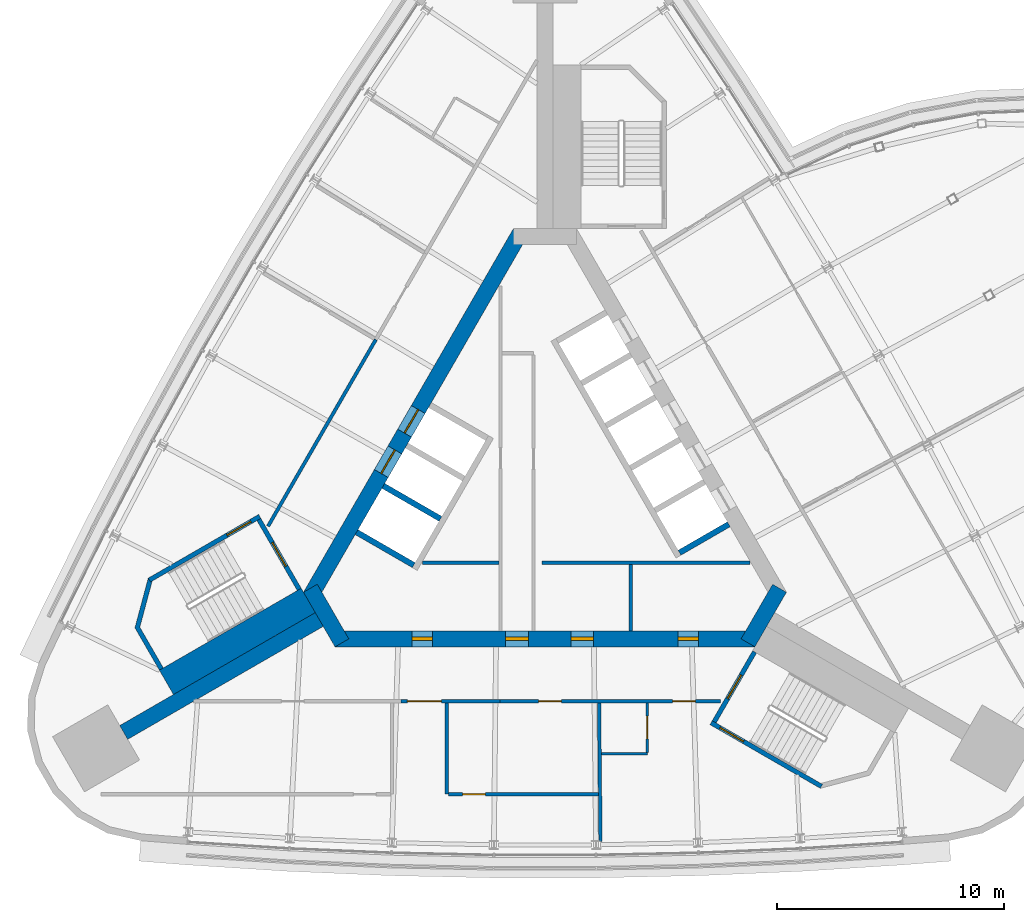
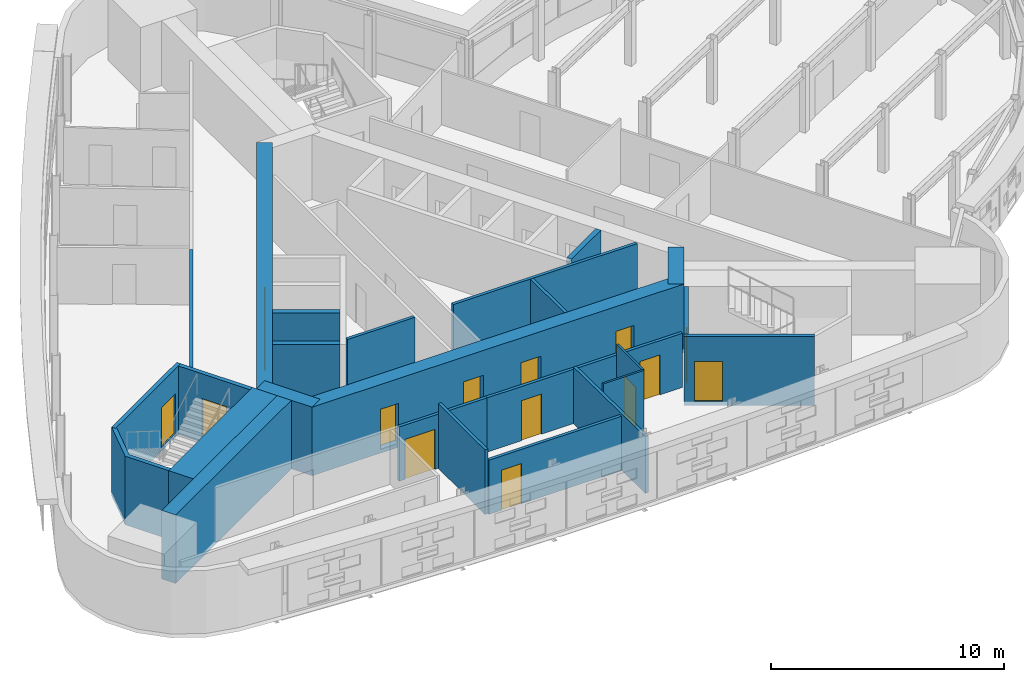
# One storey, part 10 of 15: 25 walls, 15 doors, 15 openings.
"""IFC4 building model written with IfcOpenShell, lengths in metres."""

from ifc_helpers import new_model, si_unit, direction, frame, frame_2d, origin, place, context, subcontext, project, spatial, polyline, rectangle, outline, extrude, material, layer, layer_set, type_object, element, fill, save


model = new_model("IFC4")

# Units and contexts
model_context = context("Model", 3, precision=1e-05, world=origin(), true_north=direction((0.0, 1.0)))
body_context = subcontext(model_context, "Body", "Model", "MODEL_VIEW")
ifc_project = project(units=[si_unit("LENGTHUNIT", "METRE"), si_unit("AREAUNIT", "SQUARE_METRE"), si_unit("VOLUMEUNIT", "CUBIC_METRE"), si_unit("PLANEANGLEUNIT", "RADIAN"), si_unit("MASSUNIT", "GRAM", prefix="KILO")], contexts=[model_context])

# Site, building, storey
site_placement = place(None, origin())
site = spatial("IfcSite", under=ifc_project, at=site_placement, CompositionType="ELEMENT")
building_placement = place(site_placement, origin())
building = spatial("IfcBuilding", under=site, at=building_placement, Name="Noor Cloister Tower", CompositionType="ELEMENT")
storey_placement = place(building_placement, frame((0.0, 0.0, 181.5)))
storey = spatial("IfcBuildingStorey", under=building, at=storey_placement, Name="L46", CompositionType="ELEMENT", Elevation=181.5)

# Walls
ifc_material_1 = material(Name="Concrete C70/85", Category="concrete")
ifc_layer_1 = layer(ifc_material_1, 0.699951171875)
ifc_layer_set_1 = layer_set([ifc_layer_1], Name="Buttress wall 700 C70/85")
wall_type_1 = type_object("IfcWallType", Name="Buttress wall 700 C70/85", PredefinedType="SHEAR", material=ifc_layer_set_1)
wall_1_placement = place(storey_placement, frame((-9.921630859375, -5.728271484375, -0.199951171875), z_axis=(0.0, 0.0, 1.0), x_axis=(-0.866029553954, -0.499992811627, 0.0)))
element("IfcWall", 1, at=wall_1_placement, inside=storey, type_object=wall_type_1, Name="Buttress wall SW L46", PredefinedType="SHEAR", context=body_context, shape_type="SweptSolid", body=[
    extrude(rectangle(XDim=9.927490234375, YDim=0.699951171875, at=frame_2d((4.9638671875, 0.0))), origin(), (0.0, 0.0, 1.0), 3.599853515625),
])
ifc_material_2 = material(Name="Concrete C30/37", Category="concrete")
ifc_layer_2 = layer(ifc_material_2, 0.14990234375)
ifc_layer_set_2 = layer_set([ifc_layer_2], Name="Core partition 150 C30/37")
wall_type_2 = type_object("IfcWallType", Name="Core partition 150 C30/37", PredefinedType="PARTITIONING", material=ifc_layer_set_2)
wall_2_placement = place(storey_placement, frame((-5.373291015625, -3.228271484375, 0.0), z_axis=(0.0, 0.0, 1.0), x_axis=(1.0, 0.0, 0.0)))
element("IfcWall", 2, at=wall_2_placement, inside=storey, type_object=wall_type_2, Name="Core room partition L46 1", PredefinedType="PARTITIONING", context=body_context, shape_type="SweptSolid", body=[
    extrude(rectangle(XDim=3.344482421875, YDim=0.14990234375, at=frame_2d((1.67236328125, 0.0))), origin(), (0.0, 0.0, 1.0), 3.39990234375),
])
wall_3_placement = place(storey_placement, frame((-0.128662109375, -3.228271484375, 0.0), z_axis=(0.0, 0.0, 1.0), x_axis=(1.0, 0.0, 0.0)))
element("IfcWall", 3, at=wall_3_placement, inside=storey, type_object=wall_type_2, Name="Core room partition L46 5", PredefinedType="PARTITIONING", context=body_context, shape_type="SweptSolid", body=[
    extrude(rectangle(XDim=9.13916015625, YDim=0.14990234375, at=frame_2d((4.569580078125, 0.0))), origin(), (0.0, 0.0, 1.0), 3.39990234375),
])
wall_4_placement = place(storey_placement, frame((3.771240234375, -3.30322265625, 0.0), z_axis=(0.0, 0.0, 1.0), x_axis=(0.0, -1.0, 0.0)))
element("IfcWall", 4, at=wall_4_placement, inside=storey, type_object=wall_type_2, Name="Core room partition L46 6", PredefinedType="PARTITIONING", context=body_context, shape_type="SweptSolid", body=[
    extrude(rectangle(XDim=2.925048828125, YDim=0.14990234375, at=frame_2d((1.46240234375, 0.0))), origin(), (0.0, 0.0, 1.0), 3.39990234375),
])

# Wall, openings, doors
ifc_material_3 = material(Name="Concrete C70/85", Category="concrete")
ifc_layer_3 = layer(ifc_material_3, 0.699951171875)
ifc_layer_set_3 = layer_set([ifc_layer_3], Name="Core wall 700 C70/85")
wall_type_3 = type_object("IfcWallType", Name="Core wall 700 C70/85", PredefinedType="SHEAR", material=ifc_layer_set_3)
wall_5_placement = place(storey_placement, frame((-9.228759765625, -6.578125, -0.199951171875), z_axis=(0.0, 0.0, 1.0), x_axis=(1.0, 0.0, 0.0)))
wall_5 = element("IfcWall", 5, at=wall_5_placement, inside=storey, type_object=wall_type_3, Name="Core wall L46 1", PredefinedType="SHEAR", context=body_context, shape_type="SweptSolid", body=[
    extrude(rectangle(XDim=18.45751953125, YDim=0.699951171875, at=frame_2d((9.228759765625, 0.0))), origin(), (0.0, 0.0, 1.0), 3.599853515625),
])
opening_1_placement = place(wall_5_placement, frame((7.5, 0.0, 0.199951171875)))
opening_1 = element("IfcOpeningElement", 6, at=opening_1_placement, cuts=wall_5, Name="Opening L46-901", PredefinedType="OPENING", context=body_context, shape_type="SweptSolid", body=[
    extrude(rectangle(XDim=1.0, YDim=2.10009765625, at=frame_2d((0.5, 1.050048828125))), frame((0.0, 0.35986328125, 0.0), z_axis=(0.0, -1.0, 0.0), x_axis=(1.0, 0.0, 0.0)), (0.0, 0.0, 1.0), 0.719970703125),
])
opening_2_placement = place(wall_5_placement, frame((3.389404296875, 0.0, 0.199951171875)))
opening_2 = element("IfcOpeningElement", 7, at=opening_2_placement, cuts=wall_5, Name="Opening L46-902", PredefinedType="OPENING", context=body_context, shape_type="SweptSolid", body=[
    extrude(rectangle(XDim=0.89990234375, YDim=2.10009765625, at=frame_2d((0.449951171875, 1.050048828125))), frame((0.0, 0.35986328125, 0.0), z_axis=(0.0, -1.0, 0.0), x_axis=(1.0, 0.0, 0.0)), (0.0, 0.0, 1.0), 0.719970703125),
])
opening_3_placement = place(wall_5_placement, frame((10.362548828125, 0.0, 0.199951171875)))
opening_3 = element("IfcOpeningElement", 8, at=opening_3_placement, cuts=wall_5, Name="Opening L46-903", PredefinedType="OPENING", context=body_context, shape_type="SweptSolid", body=[
    extrude(rectangle(XDim=1.0, YDim=2.10009765625, at=frame_2d((0.5, 1.050048828125))), frame((0.0, 0.35986328125, 0.0), z_axis=(0.0, -1.0, 0.0), x_axis=(1.0, 0.0, 0.0)), (0.0, 0.0, 1.0), 0.719970703125),
])
opening_4_placement = place(wall_5_placement, frame((15.07666015625, 0.0, 0.199951171875)))
opening_4 = element("IfcOpeningElement", 9, at=opening_4_placement, cuts=wall_5, Name="Opening L46-904", PredefinedType="OPENING", context=body_context, shape_type="SweptSolid", body=[
    extrude(rectangle(XDim=0.89990234375, YDim=2.10009765625, at=frame_2d((0.449951171875, 1.050048828125))), frame((0.0, 0.35986328125, 0.0), z_axis=(0.0, -1.0, 0.0), x_axis=(1.0, 0.0, 0.0)), (0.0, 0.0, 1.0), 0.719970703125),
])
ifc_material_4 = material(Name="Steel", Category="steel")
door_type_1 = type_object("IfcDoorType", Name="Core door 1000 x 2100 FD120", OperationType="SINGLE_SWING_LEFT", PredefinedType="DOOR", material=ifc_material_4)
door_1_placement = place(opening_1_placement, origin())
door_1 = element("IfcDoor", 10, at=door_1_placement, inside=storey, type_object=door_type_1, Name="Core door 1 L46", OperationType="SINGLE_SWING_LEFT", OverallHeight=2.10009765625, OverallWidth=1.0, PredefinedType="DOOR", context=body_context, shape_type="SweptSolid", body=[
    extrude(rectangle(XDim=1.0, YDim=2.10009765625, at=frame_2d((0.5, 1.050048828125))), frame((0.0, 0.074951171875, 0.0), z_axis=(0.0, -1.0, 0.0), x_axis=(1.0, 0.0, 0.0)), (0.0, 0.0, 1.0), 0.14990234375),
])
fill(opening_1, door_1)
ifc_material_5 = material(Name="Steel", Category="steel")
door_type_2 = type_object("IfcDoorType", Name="Core door 1000 x 2100 FD60", OperationType="SINGLE_SWING_LEFT", PredefinedType="DOOR", material=ifc_material_5)
door_2_placement = place(opening_3_placement, origin())
door_2 = element("IfcDoor", 11, at=door_2_placement, inside=storey, type_object=door_type_2, Name="Core door 3 L46", OperationType="SINGLE_SWING_LEFT", OverallHeight=2.10009765625, OverallWidth=1.0, PredefinedType="DOOR", context=body_context, shape_type="SweptSolid", body=[
    extrude(rectangle(XDim=1.0, YDim=2.10009765625, at=frame_2d((0.5, 1.050048828125))), frame((0.0, 0.074951171875, 0.0), z_axis=(0.0, -1.0, 0.0), x_axis=(1.0, 0.0, 0.0)), (0.0, 0.0, 1.0), 0.14990234375),
])
fill(opening_3, door_2)
ifc_material_6 = material(Name="Steel", Category="steel")
door_type_3 = type_object("IfcDoorType", Name="Core door 900 x 2100 FD120", OperationType="SINGLE_SWING_LEFT", PredefinedType="DOOR", material=ifc_material_6)
door_3_placement = place(opening_2_placement, origin())
door_3 = element("IfcDoor", 12, at=door_3_placement, inside=storey, type_object=door_type_3, Name="Core door 2 L46", OperationType="SINGLE_SWING_RIGHT", OverallHeight=2.10009765625, OverallWidth=0.89990234375, PredefinedType="DOOR", context=body_context, shape_type="SweptSolid", body=[
    extrude(rectangle(XDim=0.89990234375, YDim=2.10009765625, at=frame_2d((0.449951171875, 1.050048828125))), frame((0.0, 0.074951171875, 0.0), z_axis=(0.0, -1.0, 0.0), x_axis=(1.0, 0.0, 0.0)), (0.0, 0.0, 1.0), 0.14990234375),
])
fill(opening_2, door_3)
ifc_material_7 = material(Name="Steel", Category="steel")
door_type_4 = type_object("IfcDoorType", Name="Core door 900 x 2100 FD60", OperationType="SINGLE_SWING_LEFT", PredefinedType="DOOR", material=ifc_material_7)
door_4_placement = place(opening_4_placement, origin())
door_4 = element("IfcDoor", 13, at=door_4_placement, inside=storey, type_object=door_type_4, Name="Core door 4 L46", OperationType="SINGLE_SWING_RIGHT", OverallHeight=2.10009765625, OverallWidth=0.89990234375, PredefinedType="DOOR", context=body_context, shape_type="SweptSolid", body=[
    extrude(rectangle(XDim=0.89990234375, YDim=2.10009765625, at=frame_2d((0.449951171875, 1.050048828125))), frame((0.0, 0.074951171875, 0.0), z_axis=(0.0, -1.0, 0.0), x_axis=(1.0, 0.0, 0.0)), (0.0, 0.0, 1.0), 0.14990234375),
])
fill(opening_4, door_4)

# Wall
wall_6_placement = place(storey_placement, frame((8.925537109375, -6.753173828125, -0.199951171875), z_axis=(0.0, 0.0, 1.0), x_axis=(0.500042739161, 0.866000726912, 0.0)))
element("IfcWall", 14, at=wall_6_placement, inside=storey, type_object=wall_type_3, Name="Core wall L46 2", PredefinedType="SHEAR", context=body_context, shape_type="SweptSolid", body=[
    extrude(rectangle(XDim=2.771240234375, YDim=0.699951171875, at=frame_2d((1.3857421875, 0.0))), origin(), (0.0, 0.0, 1.0), 3.599853515625),
])

# Wall, openings, doors
wall_7_placement = place(storey_placement, frame((-1.08251953125, 11.281494140625, -0.199951171875), z_axis=(0.0, 0.0, 1.0), x_axis=(-0.500001446645, -0.866024568562, 0.0)))
wall_7 = element("IfcWall", 15, at=wall_7_placement, inside=storey, type_object=wall_type_3, Name="Core wall L46 5", PredefinedType="SHEAR", context=body_context, shape_type="SweptSolid", body=[
    extrude(rectangle(XDim=18.45751953125, YDim=0.699951171875, at=frame_2d((9.228759765625, 0.0))), origin(), (0.0, 0.0, 1.0), 3.599853515625),
])
opening_5_placement = place(wall_7_placement, frame((8.978759765625, 0.0, 0.199951171875)))
opening_5 = element("IfcOpeningElement", 16, at=opening_5_placement, cuts=wall_7, Name="Opening L46-FF1", PredefinedType="OPENING", context=body_context, shape_type="SweptSolid", body=[
    extrude(rectangle(XDim=1.199951171875, YDim=2.10009765625, at=frame_2d((0.60009765625, 1.050048828125))), frame((0.0, 0.35986328125, 0.0), z_axis=(0.0, -1.0, 0.0), x_axis=(1.0, 0.0, 0.0)), (0.0, 0.0, 1.0), 0.719970703125),
])
opening_6_placement = place(wall_7_placement, frame((11.02880859375, 0.0, 0.199951171875)))
opening_6 = element("IfcOpeningElement", 17, at=opening_6_placement, cuts=wall_7, Name="Opening L46-FF2", PredefinedType="OPENING", context=body_context, shape_type="SweptSolid", body=[
    extrude(rectangle(XDim=1.199951171875, YDim=2.10009765625, at=frame_2d((0.60009765625, 1.050048828125))), frame((0.0, 0.35986328125, 0.0), z_axis=(0.0, -1.0, 0.0), x_axis=(1.0, 0.0, 0.0)), (0.0, 0.0, 1.0), 0.719970703125),
])
ifc_material_8 = material(Name="Stainless steel", Category="steel")
door_type_5 = type_object("IfcDoorType", Name="Lift landing door 1200 x 2100", OperationType="DOUBLE_DOOR_SLIDING", PredefinedType="DOOR", material=ifc_material_8)
door_5_placement = place(opening_5_placement, origin())
door_5 = element("IfcDoor", 18, at=door_5_placement, inside=storey, type_object=door_type_5, Name="Landing door FF1 L46", OperationType="DOUBLE_DOOR_SLIDING", OverallHeight=2.10009765625, OverallWidth=1.199951171875, PredefinedType="DOOR", context=body_context, shape_type="SweptSolid", body=[
    extrude(rectangle(XDim=1.199951171875, YDim=2.10009765625, at=frame_2d((0.60009765625, 1.050048828125))), frame((0.0, 0.02490234375, 0.0), z_axis=(0.0, -1.0, 0.0), x_axis=(1.0, 0.0, 0.0)), (0.0, 0.0, 1.0), 0.050048828125),
])
fill(opening_5, door_5)
door_6_placement = place(opening_6_placement, origin())
door_6 = element("IfcDoor", 19, at=door_6_placement, inside=storey, type_object=door_type_5, Name="Landing door FF2 L46", OperationType="DOUBLE_DOOR_SLIDING", OverallHeight=2.10009765625, OverallWidth=1.199951171875, PredefinedType="DOOR", context=body_context, shape_type="SweptSolid", body=[
    extrude(rectangle(XDim=1.199951171875, YDim=2.10009765625, at=frame_2d((0.60009765625, 1.050048828125))), frame((0.0, 0.02490234375, 0.0), z_axis=(0.0, -1.0, 0.0), x_axis=(1.0, 0.0, 0.0)), (0.0, 0.0, 1.0), 0.050048828125),
])
fill(opening_6, door_6)

# Walls
wall_8_placement = place(storey_placement, frame((-10.311279296875, -4.353271484375, -0.199951171875), z_axis=(0.0, 0.0, 1.0), x_axis=(0.500042739161, -0.866000726912, 0.0)))
element("IfcWall", 20, at=wall_8_placement, inside=storey, type_object=wall_type_3, Name="Core wall L46 6", PredefinedType="SHEAR", context=body_context, shape_type="SweptSolid", body=[
    extrude(rectangle(XDim=2.771240234375, YDim=0.699951171875, at=frame_2d((1.3857421875, 0.0))), origin(), (0.0, 0.0, 1.0), 3.599853515625),
])
ifc_material_9 = material(Name="Fire-rated gypsum board partition on steel studs, 150 mm", Category="steel")
ifc_layer_4 = layer(ifc_material_9, 0.14990234375)
ifc_layer_set_4 = layer_set([ifc_layer_4], Name="Fire lobby wall 150")
wall_type_4 = type_object("IfcWallType", Name="Fire lobby wall 150", PredefinedType="PARTITIONING", material=ifc_layer_set_4)
wall_9_placement = place(storey_placement, frame((-7.43408203125, 6.580078125, 0.0), z_axis=(0.0, 0.0, 1.0), x_axis=(-0.499998195608, -0.866026445548, 0.0)))
element("IfcWall", 21, at=wall_9_placement, inside=storey, type_object=wall_type_4, Name="Wall L46-W19", PredefinedType="PARTITIONING", context=body_context, shape_type="SweptSolid", body=[
    extrude(rectangle(XDim=9.47802734375, YDim=0.14990234375, at=frame_2d((4.739013671875, 0.0))), origin(), (0.0, 0.0, 1.0), 2.846923828125),
])

# Wall, openings, doors
ifc_material_10 = material(Name="Gypsum board partition on steel studs, 150 mm", Category="steel")
ifc_layer_5 = layer(ifc_material_10, 0.14990234375)
ifc_layer_set_5 = layer_set([ifc_layer_5], Name="Flat wall 150")
wall_type_5 = type_object("IfcWallType", Name="Flat wall 150", PredefinedType="PARTITIONING", material=ifc_layer_set_5)
wall_10_placement = place(storey_placement, frame((-1.977294921875, -9.328125, 0.0), z_axis=(0.0, 0.0, 1.0), x_axis=(1.0, 0.0, 0.0)))
wall_10 = element("IfcWall", 22, at=wall_10_placement, inside=storey, type_object=wall_type_5, Name="Wall L46-W09", PredefinedType="PARTITIONING", context=body_context, shape_type="SweptSolid", body=[
    extrude(rectangle(XDim=9.704833984375, YDim=0.14990234375, at=frame_2d((4.8525390625, 0.0))), origin(), (0.0, 0.0, 1.0), 2.846923828125),
])
opening_7_placement = place(wall_10_placement, frame((1.702392578125, 0.0, 0.0)))
opening_7 = element("IfcOpeningElement", 23, at=opening_7_placement, cuts=wall_10, Name="Opening L46-012", PredefinedType="OPENING", context=body_context, shape_type="SweptSolid", body=[
    extrude(rectangle(XDim=1.0, YDim=2.10009765625, at=frame_2d((0.5, 1.050048828125))), frame((0.0, 0.0849609375, 0.0), z_axis=(0.0, -1.0, 0.0), x_axis=(1.0, 0.0, 0.0)), (0.0, 0.0, 1.0), 0.169921875),
])
opening_8_placement = place(wall_10_placement, frame((7.592041015625, 0.0, 0.0)))
opening_8 = element("IfcOpeningElement", 24, at=opening_8_placement, cuts=wall_10, Name="Opening L46-014", PredefinedType="OPENING", context=body_context, shape_type="SweptSolid", body=[
    extrude(rectangle(XDim=1.0, YDim=2.10009765625, at=frame_2d((0.5, 1.050048828125))), frame((0.0, 0.0849609375, 0.0), z_axis=(0.0, -1.0, 0.0), x_axis=(1.0, 0.0, 0.0)), (0.0, 0.0, 1.0), 0.169921875),
])
ifc_material_11 = material(Name="Timber door leaf with steel frame", Category="steel")
door_type_6 = type_object("IfcDoorType", Name="Flat entrance door 1000", OperationType="NOTDEFINED", PredefinedType="DOOR", material=ifc_material_11)
door_7_placement = place(opening_8_placement, origin())
door_7 = element("IfcDoor", 25, at=door_7_placement, inside=storey, type_object=door_type_6, Name="Door L46-014", OperationType="SINGLE_SWING_RIGHT", OverallHeight=2.10009765625, OverallWidth=1.0, PredefinedType="DOOR", context=body_context, shape_type="SweptSolid", body=[
    extrude(rectangle(XDim=1.0, YDim=2.10009765625, at=frame_2d((0.5, 1.050048828125))), frame((0.0, 0.02490234375, 0.0), z_axis=(0.0, -1.0, 0.0), x_axis=(1.0, 0.0, 0.0)), (0.0, 0.0, 1.0), 0.050048828125),
])
fill(opening_8, door_7)
ifc_material_12 = material(Name="Timber door leaf with steel frame", Category="steel")
door_type_7 = type_object("IfcDoorType", Name="Interior door 1000 FD60", OperationType="NOTDEFINED", PredefinedType="DOOR", material=ifc_material_12)
door_8_placement = place(opening_7_placement, origin())
door_8 = element("IfcDoor", 26, at=door_8_placement, inside=storey, type_object=door_type_7, Name="Door L46-012", OperationType="SINGLE_SWING_RIGHT", OverallHeight=2.10009765625, OverallWidth=1.0, PredefinedType="DOOR", context=body_context, shape_type="SweptSolid", body=[
    extrude(rectangle(XDim=1.0, YDim=2.10009765625, at=frame_2d((0.5, 1.050048828125))), frame((0.0, 0.02490234375, 0.0), z_axis=(0.0, -1.0, 0.0), x_axis=(1.0, 0.0, 0.0)), (0.0, 0.0, 1.0), 0.050048828125),
])
fill(opening_7, door_8)

# Wall, opening, door
wall_11_placement = place(storey_placement, frame((-6.333984375, -9.328125, 0.0), z_axis=(0.0, 0.0, 1.0), x_axis=(1.0, 0.0, 0.0)))
wall_11 = element("IfcWall", 27, at=wall_11_placement, inside=storey, type_object=wall_type_5, Name="Wall L46-W10", PredefinedType="PARTITIONING", context=body_context, shape_type="SweptSolid", body=[
    extrude(rectangle(XDim=4.356689453125, YDim=0.14990234375, at=frame_2d((2.17822265625, 0.0))), origin(), (0.0, 0.0, 1.0), 2.846923828125),
])
opening_9_placement = place(wall_11_placement, frame((0.280517578125, 0.0, 0.0)))
opening_9 = element("IfcOpeningElement", 28, at=opening_9_placement, cuts=wall_11, Name="Opening L46-008", PredefinedType="OPENING", context=body_context, shape_type="SweptSolid", body=[
    extrude(rectangle(XDim=1.5, YDim=2.10009765625, at=frame_2d((0.75, 1.050048828125))), frame((0.0, 0.0849609375, 0.0), z_axis=(0.0, -1.0, 0.0), x_axis=(1.0, 0.0, 0.0)), (0.0, 0.0, 1.0), 0.169921875),
])
ifc_material_13 = material(Name="Timber door leaf with steel frame", Category="steel")
door_type_8 = type_object("IfcDoorType", Name="Double door 1500 FD60", OperationType="NOTDEFINED", PredefinedType="DOOR", material=ifc_material_13)
door_9_placement = place(opening_9_placement, origin())
door_9 = element("IfcDoor", 29, at=door_9_placement, inside=storey, type_object=door_type_8, Name="Door L46-008", OperationType="DOUBLE_DOOR_SINGLE_SWING", OverallHeight=2.10009765625, OverallWidth=1.5, PredefinedType="DOOR", context=body_context, shape_type="SweptSolid", body=[
    extrude(rectangle(XDim=1.5, YDim=2.10009765625, at=frame_2d((0.75, 1.050048828125))), frame((0.0, 0.02490234375, 0.0), z_axis=(0.0, -1.0, 0.0), x_axis=(1.0, 0.0, 0.0)), (0.0, 0.0, 1.0), 0.050048828125),
])
fill(opening_9, door_9)

# Walls
wall_12_placement = place(storey_placement, frame((2.442626953125, -15.47900390625, 0.0), z_axis=(0.0, 0.0, 1.0), x_axis=(-0.010607777316, 0.999943735947, 0.0)))
element("IfcWall", 30, at=wall_12_placement, inside=storey, type_object=wall_type_5, Name="Wall L46-W11", PredefinedType="PARTITIONING", context=body_context, shape_type="SweptSolid", body=[
    extrude(rectangle(XDim=6.075927734375, YDim=0.14990234375, at=frame_2d((3.0380859375, 0.0))), origin(), (0.0, 0.0, 1.0), 2.97412109375),
])
wall_13_placement = place(storey_placement, frame((-4.322998046875, -9.4033203125, 0.0), z_axis=(0.0, 0.0, 1.0), x_axis=(0.0, -1.0, 0.0)))
element("IfcWall", 31, at=wall_13_placement, inside=storey, type_object=wall_type_5, Name="Wall L46-W13", PredefinedType="PARTITIONING", context=body_context, shape_type="SweptSolid", body=[
    extrude(rectangle(XDim=4.004638671875, YDim=0.14990234375, at=frame_2d((2.00244140625, 0.0))), origin(), (0.0, 0.0, 1.0), 3.39990234375),
])

# Wall, opening, door
wall_14_placement = place(storey_placement, frame((-4.248046875, -13.407958984375, 0.0), z_axis=(0.0, 0.0, 1.0), x_axis=(1.0, 0.0, 0.0)))
wall_14 = element("IfcWall", 32, at=wall_14_placement, inside=storey, type_object=wall_type_5, Name="Wall L46-W15", PredefinedType="PARTITIONING", context=body_context, shape_type="SweptSolid", body=[
    extrude(rectangle(XDim=6.593505859375, YDim=0.14990234375, at=frame_2d((3.296875, 0.0))), origin(), (0.0, 0.0, 1.0), 2.846923828125),
])
opening_10_placement = place(wall_14_placement, frame((0.625, 0.0, 0.0)))
opening_10 = element("IfcOpeningElement", 33, at=opening_10_placement, cuts=wall_14, Name="Opening L46-011", PredefinedType="OPENING", context=body_context, shape_type="SweptSolid", body=[
    extrude(rectangle(XDim=1.0, YDim=2.10009765625, at=frame_2d((0.5, 1.050048828125))), frame((0.0, 0.0849609375, 0.0), z_axis=(0.0, -1.0, 0.0), x_axis=(1.0, 0.0, 0.0)), (0.0, 0.0, 1.0), 0.169921875),
])
door_10_placement = place(opening_10_placement, origin())
door_10 = element("IfcDoor", 34, at=door_10_placement, inside=storey, type_object=door_type_7, Name="Door L46-011", OperationType="SINGLE_SWING_LEFT", OverallHeight=2.10009765625, OverallWidth=1.0, PredefinedType="DOOR", context=body_context, shape_type="SweptSolid", body=[
    extrude(rectangle(XDim=1.0, YDim=2.10009765625, at=frame_2d((0.5, 1.050048828125))), frame((0.0, 0.02490234375, 0.0), z_axis=(0.0, -1.0, 0.0), x_axis=(1.0, 0.0, 0.0)), (0.0, 0.0, 1.0), 0.050048828125),
])
fill(opening_10, door_10)

# Wall
ifc_material_14 = material(Name="Gypsum board partition on steel studs, 100 mm", Category="steel")
ifc_layer_6 = layer(ifc_material_14, 0.10009765625)
ifc_layer_set_6 = layer_set([ifc_layer_6], Name="Partition 100")
wall_type_6 = type_object("IfcWallType", Name="Partition 100", PredefinedType="PARTITIONING", material=ifc_layer_set_6)
wall_15_placement = place(storey_placement, frame((2.476806640625, -11.628173828125, 0.0), z_axis=(0.0, 0.0, 1.0), x_axis=(1.0, 0.0, 0.0)))
element("IfcWall", 35, at=wall_15_placement, inside=storey, type_object=wall_type_6, Name="Wall L46-W16", PredefinedType="PARTITIONING", context=body_context, shape_type="SweptSolid", body=[
    extrude(rectangle(XDim=2.02490234375, YDim=0.10009765625, at=frame_2d((1.012451171875, 0.0))), origin(), (0.0, 0.0, 1.0), 3.39990234375),
])

# Wall, opening, door
wall_16_placement = place(storey_placement, frame((4.501708984375, -11.578125, 0.0), z_axis=(0.0, 0.0, 1.0), x_axis=(0.0, 1.0, 0.0)))
wall_16 = element("IfcWall", 36, at=wall_16_placement, inside=storey, type_object=wall_type_6, Name="Wall L46-W17", PredefinedType="PARTITIONING", context=body_context, shape_type="SweptSolid", body=[
    extrude(rectangle(XDim=2.1748046875, YDim=0.10009765625, at=frame_2d((1.08740234375, 0.0))), origin(), (0.0, 0.0, 1.0), 3.39990234375),
])
opening_11_placement = place(wall_16_placement, frame((0.60009765625, 0.0, 0.0)))
opening_11 = element("IfcOpeningElement", 37, at=opening_11_placement, cuts=wall_16, Name="Opening L46-013", PredefinedType="OPENING", context=body_context, shape_type="SweptSolid", body=[
    extrude(rectangle(XDim=1.0, YDim=2.10009765625, at=frame_2d((0.5, 1.050048828125))), frame((0.0, 0.06005859375, 0.0), z_axis=(0.0, -1.0, 0.0), x_axis=(1.0, 0.0, 0.0)), (0.0, 0.0, 1.0), 0.1201171875),
])
ifc_material_15 = material(Name="Timber door leaf with steel frame", Category="steel")
door_type_9 = type_object("IfcDoorType", Name="Interior door 1000", OperationType="NOTDEFINED", PredefinedType="DOOR", material=ifc_material_15)
door_11_placement = place(opening_11_placement, origin())
door_11 = element("IfcDoor", 38, at=door_11_placement, inside=storey, type_object=door_type_9, Name="Door L46-013", OperationType="SINGLE_SWING_LEFT", OverallHeight=2.10009765625, OverallWidth=1.0, PredefinedType="DOOR", context=body_context, shape_type="SweptSolid", body=[
    extrude(rectangle(XDim=1.0, YDim=2.10009765625, at=frame_2d((0.5, 1.050048828125))), frame((0.0, 0.02490234375, 0.0), z_axis=(0.0, -1.0, 0.0), x_axis=(1.0, 0.0, 0.0)), (0.0, 0.0, 1.0), 0.050048828125),
])
fill(opening_11, door_11)

# Walls
ifc_material_16 = material(Name="Concrete C70/85", Category="concrete")
ifc_layer_7 = layer(ifc_material_16, 0.25)
ifc_layer_set_7 = layer_set([ifc_layer_7], Name="Shaft wall 250 C70/85")
wall_type_7 = type_object("IfcWallType", Name="Shaft wall 250 C70/85", PredefinedType="PARTITIONING", material=ifc_layer_set_7)
wall_17_placement = place(storey_placement, frame((8.081298828125, -1.540771484375, -0.199951171875), z_axis=(0.0, 0.0, 1.0), x_axis=(-0.866022959057, -0.500004234368, 0.0)))
element("IfcWall", 39, at=wall_17_placement, inside=storey, type_object=wall_type_7, Name="Lift shaft wall L46 NE 1", PredefinedType="PARTITIONING", context=body_context, shape_type="SweptSolid", body=[
    extrude(rectangle(XDim=2.5, YDim=0.25, at=frame_2d((1.25, 0.0))), origin(), (0.0, 0.0, 1.0), 3.599853515625),
])
for number, where, z_axis, x_axis, name in (
    (40, (-7.106201171875, 0.14794921875, -0.199951171875), (0.0, 0.0, 1.0), (0.866032775405, -0.499987231761, 0.0), "Lift shaft wall L46 NW 5"),
    (41, (-8.28125, -1.88720703125, -0.199951171875), (0.0, 0.0, 1.0), (0.866032775405, -0.499987231761, 0.0), "Lift shaft wall L46 NW 6"),
):
    element("IfcWall", number, at=place(storey_placement, frame(where, z_axis=z_axis, x_axis=x_axis)), inside=storey, type_object=wall_type_7, Name=name, PredefinedType="PARTITIONING", context=body_context, shape_type="SweptSolid", body=[
        extrude(rectangle(XDim=2.89990234375, YDim=0.25, at=frame_2d((1.449951171875, 0.0))), origin(), (0.0, 0.0, 1.0), 3.599853515625),
    ])
ifc_material_17 = material(Name="Concrete C70/85", Category="concrete")
ifc_layer_8 = layer(ifc_material_17, 1.236083984375)
ifc_layer_set_8 = layer_set([ifc_layer_8], Name="Stair enclosure wall 1236 C70/85")
wall_type_8 = type_object("IfcWallType", Name="Stair enclosure wall 1236 C70/85", PredefinedType="SHEAR", material=ifc_layer_set_8)
wall_18_placement = place(storey_placement, frame((-10.405517578125, -4.889892578125, -0.199951171875), z_axis=(0.0, 0.0, 1.0), x_axis=(-0.866018442252, -0.500012057535, 0.0)))
element("IfcWall", 42, at=wall_18_placement, inside=storey, type_object=wall_type_8, Name="Stair enclosure wall ST2 L46 riser side", PredefinedType="SHEAR", context=body_context, shape_type="SweptSolid", body=[
    extrude(rectangle(XDim=7.199951171875, YDim=1.235595703125, at=frame_2d((3.60009765625, 0.0))), origin(), (0.0, 0.0, 1.0), 3.599853515625),
])

# Wall, opening, door
ifc_material_18 = material(Name="Concrete C70/85", Category="concrete")
ifc_layer_9 = layer(ifc_material_18, 0.199951171875)
ifc_layer_set_9 = layer_set([ifc_layer_9], Name="Stair enclosure wall 200 C70/85")
wall_type_9 = type_object("IfcWallType", Name="Stair enclosure wall 200 C70/85", PredefinedType="SHEAR", material=ifc_layer_set_9)
wall_19_placement = place(storey_placement, frame((-12.575927734375, -1.33056640625, -0.199951171875), z_axis=(0.0, 0.0, 1.0), x_axis=(0.499970499736, -0.8660424351, 0.0)))
wall_19 = element("IfcWall", 43, at=wall_19_placement, inside=storey, type_object=wall_type_9, Name="Stair enclosure wall ST2 L46 near end", PredefinedType="SHEAR", context=body_context, shape_type="SweptSolid", body=[
    extrude(rectangle(XDim=3.550048828125, YDim=0.199951171875, at=frame_2d((1.77490234375, 0.0))), origin(), (0.0, 0.0, 1.0), 3.599853515625),
])
opening_12_placement = place(wall_19_placement, frame((1.175048828125, 0.0, 0.199951171875)))
opening_12 = element("IfcOpeningElement", 44, at=opening_12_placement, cuts=wall_19, Name="Opening L46-ST2L", PredefinedType="OPENING", context=body_context, shape_type="SweptSolid", body=[
    extrude(rectangle(XDim=1.199951171875, YDim=2.10009765625, at=frame_2d((0.60009765625, 1.050048828125))), frame((0.0, 0.10986328125, 0.0), z_axis=(0.0, -1.0, 0.0), x_axis=(1.0, 0.0, 0.0)), (0.0, 0.0, 1.0), 0.219970703125),
])
ifc_material_19 = material(Name="Steel", Category="steel")
door_type_10 = type_object("IfcDoorType", Name="Stair door 1200 x 2100 FD120", OperationType="SINGLE_SWING_LEFT", PredefinedType="DOOR", material=ifc_material_19)
door_12_placement = place(opening_12_placement, origin())
door_12 = element("IfcDoor", 45, at=door_12_placement, inside=storey, type_object=door_type_10, Name="Stair door ST2 L46", OperationType="SINGLE_SWING_RIGHT", OverallHeight=2.10009765625, OverallWidth=1.199951171875, PredefinedType="DOOR", context=body_context, shape_type="SweptSolid", body=[
    extrude(rectangle(XDim=1.199951171875, YDim=2.10009765625, at=frame_2d((0.60009765625, 1.050048828125))), frame((0.0, 0.02490234375, 0.0), z_axis=(0.0, -1.0, 0.0), x_axis=(1.0, 0.0, 0.0)), (0.0, 0.0, 1.0), 0.050048828125),
])
fill(opening_12, door_12)

wall_20_placement = place(storey_placement, frame((-12.539306640625, -1.194091796875, -0.199951171875), z_axis=(0.0, 0.0, 1.0), x_axis=(-0.866045472092, -0.499965239061, 0.0)))
wall_20 = element("IfcWall", 46, at=wall_20_placement, inside=storey, type_object=wall_type_9, Name="Stair enclosure wall ST2 L46 outer side", PredefinedType="SHEAR", context=body_context, shape_type="SweptSolid", body=[
    extrude(rectangle(XDim=5.60009765625, YDim=0.199951171875, at=frame_2d((2.800048828125, 0.0))), origin(), (0.0, 0.0, 1.0), 3.599853515625),
])
opening_13_placement = place(wall_20_placement, frame((0.449951171875, 0.0, 0.199951171875)))
opening_13 = element("IfcOpeningElement", 47, at=opening_13_placement, cuts=wall_20, Name="Opening L46-ST2C", PredefinedType="OPENING", context=body_context, shape_type="SweptSolid", body=[
    extrude(rectangle(XDim=1.199951171875, YDim=2.10009765625, at=frame_2d((0.60009765625, 1.050048828125))), frame((0.0, 0.10986328125, 0.0), z_axis=(0.0, -1.0, 0.0), x_axis=(1.0, 0.0, 0.0)), (0.0, 0.0, 1.0), 0.219970703125),
])
door_13_placement = place(opening_13_placement, origin())
door_13 = element("IfcDoor", 48, at=door_13_placement, inside=storey, type_object=door_type_10, Name="Stair door ST2 L46", OperationType="SINGLE_SWING_LEFT", OverallHeight=2.10009765625, OverallWidth=1.199951171875, PredefinedType="DOOR", context=body_context, shape_type="SweptSolid", body=[
    extrude(rectangle(XDim=1.199951171875, YDim=2.10009765625, at=frame_2d((0.60009765625, 1.050048828125))), frame((0.0, 0.02490234375, 0.0), z_axis=(0.0, -1.0, 0.0), x_axis=(1.0, 0.0, 0.0)), (0.0, 0.0, 1.0), 0.050048828125),
])
fill(opening_13, door_13)

wall_21_placement = place(storey_placement, frame((7.440185546875, -10.225830078125, -0.199951171875), z_axis=(0.0, 0.0, 1.0), x_axis=(0.500022077904, 0.866012656725, 0.0)))
wall_21 = element("IfcWall", 49, at=wall_21_placement, inside=storey, type_object=wall_type_9, Name="Stair enclosure wall ST3 L46 near end", PredefinedType="SHEAR", context=body_context, shape_type="SweptSolid", body=[
    extrude(rectangle(XDim=3.550048828125, YDim=0.199951171875, at=frame_2d((1.77490234375, 0.0))), origin(), (0.0, 0.0, 1.0), 3.599853515625),
])
opening_14_placement = place(wall_21_placement, frame((1.175048828125, 0.0, 0.199951171875)))
opening_14 = element("IfcOpeningElement", 50, at=opening_14_placement, cuts=wall_21, Name="Opening L46-ST3L", PredefinedType="OPENING", context=body_context, shape_type="SweptSolid", body=[
    extrude(rectangle(XDim=1.199951171875, YDim=2.10009765625, at=frame_2d((0.60009765625, 1.050048828125))), frame((0.0, 0.10986328125, 0.0), z_axis=(0.0, -1.0, 0.0), x_axis=(1.0, 0.0, 0.0)), (0.0, 0.0, 1.0), 0.219970703125),
])
door_14_placement = place(opening_14_placement, origin())
door_14 = element("IfcDoor", 51, at=door_14_placement, inside=storey, type_object=door_type_10, Name="Stair door ST3 L46", OperationType="SINGLE_SWING_RIGHT", OverallHeight=2.10009765625, OverallWidth=1.199951171875, PredefinedType="DOOR", context=body_context, shape_type="SweptSolid", body=[
    extrude(rectangle(XDim=1.199951171875, YDim=2.10009765625, at=frame_2d((0.60009765625, 1.050048828125))), frame((0.0, 0.02490234375, 0.0), z_axis=(0.0, -1.0, 0.0), x_axis=(1.0, 0.0, 0.0)), (0.0, 0.0, 1.0), 0.050048828125),
])
fill(opening_14, door_14)

wall_22_placement = place(storey_placement, frame((7.3037109375, -10.262451171875, -0.199951171875), z_axis=(0.0, 0.0, 1.0), x_axis=(0.866026594901, -0.49999793692, 0.0)))
wall_22 = element("IfcWall", 52, at=wall_22_placement, inside=storey, type_object=wall_type_9, Name="Stair enclosure wall ST3 L46 outer side", PredefinedType="SHEAR", context=body_context, shape_type="SweptSolid", body=[
    extrude(rectangle(XDim=5.60009765625, YDim=0.199951171875, at=frame_2d((2.800048828125, 0.0))), origin(), (0.0, 0.0, 1.0), 3.599853515625),
])
opening_15_placement = place(wall_22_placement, frame((0.449951171875, 0.0, 0.199951171875)))
opening_15 = element("IfcOpeningElement", 53, at=opening_15_placement, cuts=wall_22, Name="Opening L46-ST3C", PredefinedType="OPENING", context=body_context, shape_type="SweptSolid", body=[
    extrude(rectangle(XDim=1.199951171875, YDim=2.10009765625, at=frame_2d((0.60009765625, 1.050048828125))), frame((0.0, 0.10986328125, 0.0), z_axis=(0.0, -1.0, 0.0), x_axis=(1.0, 0.0, 0.0)), (0.0, 0.0, 1.0), 0.219970703125),
])
door_15_placement = place(opening_15_placement, origin())
door_15 = element("IfcDoor", 54, at=door_15_placement, inside=storey, type_object=door_type_10, Name="Stair door ST3 L46", OperationType="SINGLE_SWING_LEFT", OverallHeight=2.10009765625, OverallWidth=1.199951171875, PredefinedType="DOOR", context=body_context, shape_type="SweptSolid", body=[
    extrude(rectangle(XDim=1.199951171875, YDim=2.10009765625, at=frame_2d((0.60009765625, 1.050048828125))), frame((0.0, 0.02490234375, 0.0), z_axis=(0.0, -1.0, 0.0), x_axis=(1.0, 0.0, 0.0)), (0.0, 0.0, 1.0), 0.050048828125),
])
fill(opening_15, door_15)

# Wall
ifc_material_20 = material(Name="Concrete C70/85", Category="concrete")
wall_type_10 = type_object("IfcWallType", Name="Stair far end wall C70/85", PredefinedType="SHEAR", material=ifc_material_20)
wall_23_placement = place(storey_placement, frame((0.0, 0.0, -0.199951171875)))
element("IfcWall", 55, at=wall_23_placement, inside=storey, type_object=wall_type_10, Name="Stair enclosure wall ST2 L46 far end", PredefinedType="SHEAR", context=body_context, shape_type="SweptSolid", body=[
    extrude(outline(polyline([(-17.439208984375, -3.907470703125), (-18.024658203125, -6.093017578125), (-16.94970703125, -7.955078125), (-16.776611328125, -7.85498046875), (-17.81005859375, -6.064697265625), (-17.267333984375, -4.039306640625), (-17.339111328125, -4.08056640625), (-17.339111328125, -4.08056640625), (-17.339111328125, -4.08056640625), (-17.339111328125, -4.08056640625), (-17.339111328125, -4.08056640625), (-17.339111328125, -4.08056640625), (-17.339111328125, -4.08056640625), (-17.339111328125, -4.08056640625), (-17.339111328125, -4.08056640625), (-17.339111328125, -4.08056640625), (-17.339111328125, -4.08056640625), (-17.339111328125, -4.08056640625), (-17.339111328125, -4.08056640625), (-17.339111328125, -4.08056640625), (-17.339111328125, -4.08056640625), (-17.339111328125, -4.08056640625), (-17.339111328125, -4.08056640625), (-17.439208984375, -3.907470703125)])), origin(), (0.0, 0.0, 1.0), 3.599853515625),
])

save(model, "model.ifc")
